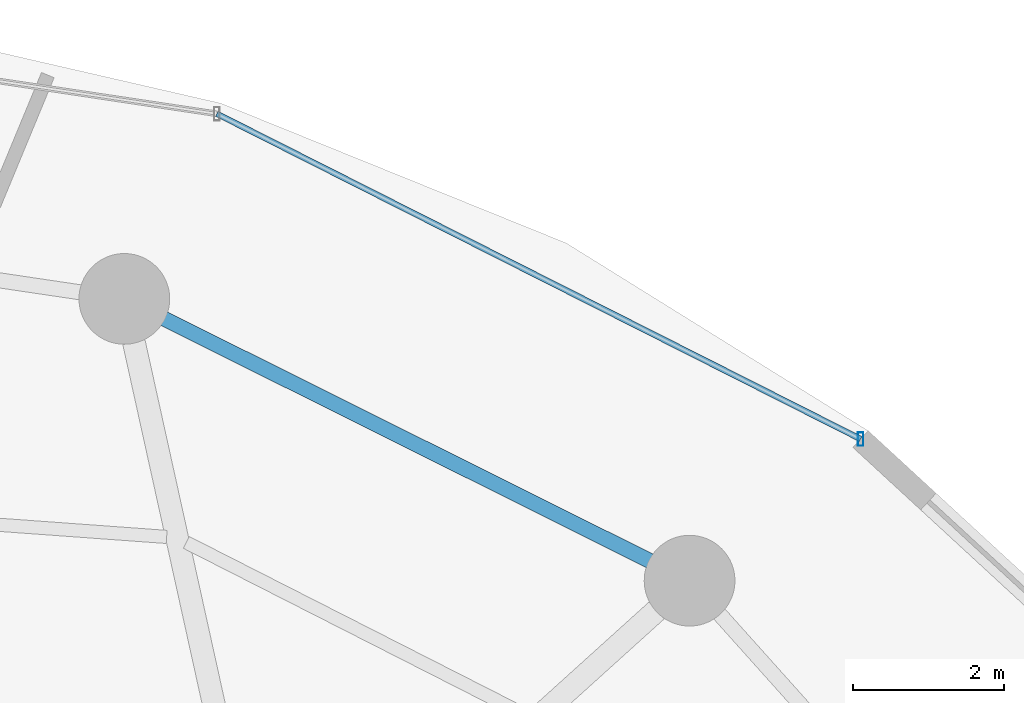
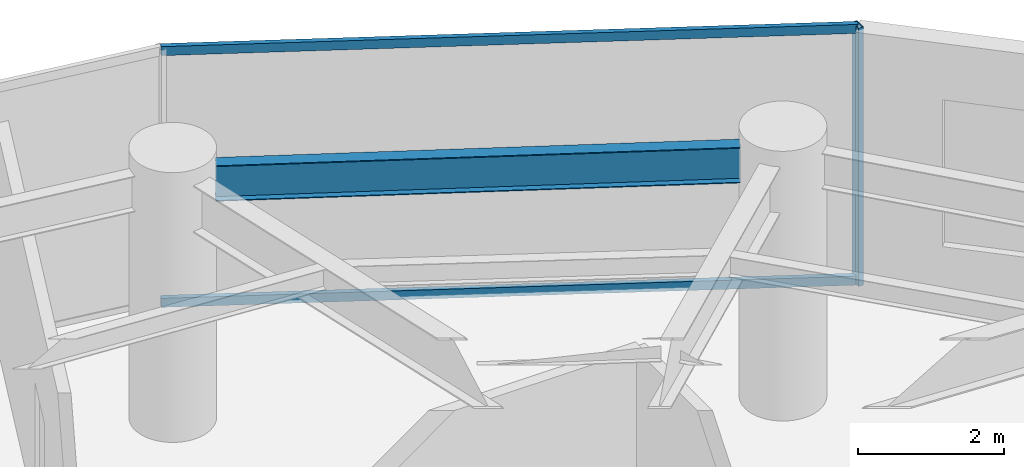
# One storey, part 18 of 27: 3 members, 1 beam, 1 element without a shape of its own.
"""IFC4 building model written with IfcOpenShell, lengths in metres."""

from ifc_helpers import new_model, si_unit, direction, frame, origin, origin_2d, place, context, subcontext, project, spatial, hollow_rectangle, i_section, extrude, material, material_profile, profile_set, type_object, element, aggregate, save


model = new_model("IFC4")

# Units and contexts
model_context = context("Model", 3, precision=1e-05, world=origin(), true_north=direction((0.0, 1.0)))
body_context = subcontext(model_context, "Body", "Model", "MODEL_VIEW")
ifc_project = project(units=[si_unit("LENGTHUNIT", "METRE"), si_unit("AREAUNIT", "SQUARE_METRE"), si_unit("VOLUMEUNIT", "CUBIC_METRE"), si_unit("PLANEANGLEUNIT", "RADIAN"), si_unit("MASSUNIT", "GRAM", prefix="KILO")], contexts=[model_context])

# Site, building, storey
site_placement = place(None, origin())
site = spatial("IfcSite", under=ifc_project, at=site_placement, CompositionType="ELEMENT")
building_placement = place(site_placement, origin())
building = spatial("IfcBuilding", under=site, at=building_placement, Name="Vorneva Point Tower", CompositionType="ELEMENT")
storey_placement = place(building_placement, frame((0.0, 0.0, 74.300048828125)))
storey = spatial("IfcBuildingStorey", under=building, at=storey_placement, Name="L19", CompositionType="ELEMENT", Elevation=74.300048828125)

# Beam
ifc_material_1 = material(Name="Steel S355", Category="steel")
ifc_material_profile_1 = material_profile(ifc_material_1, i_section(OverallWidth=0.198974609375, OverallDepth=0.595947265625, WebThickness=0.010009765625, FlangeThickness=0.014892578125, at=origin_2d()), Name="60B1")
ifc_profile_set_1 = profile_set([ifc_material_profile_1], Name="Steel S355")
beam_type = type_object("IfcBeamType", Name="BM-SPN-60B1", PredefinedType="SPANDREL", material=ifc_profile_set_1)
beam_placement = place(storey_placement, frame((53.775390625, 38.423095703125, 3.94189453125), z_axis=(-0.894922668731, 0.446221264611, 0.0), x_axis=(-0.446221264611, -0.894922668731, 0.0)))
element("IfcBeam", 1, at=beam_placement, inside=storey, type_object=beam_type, Name="L19 Perimeter Spandrel Ring Beam 03", PredefinedType="SPANDREL", context=body_context, shape_type="SweptSolid", body=[
    extrude(i_section(OverallWidth=0.198974609375, OverallDepth=0.595947265625, WebThickness=0.010009765625, FlangeThickness=0.014892578125, at=origin_2d()), origin(), (0.0, 0.0, 1.0), 7.18603515625),
])

# Curtain wall, members
ifc_material_2 = material(Name="Pale anodised aluminium", Category="aluminium")
curtain_wall_type = type_object("IfcCurtainWallType", Name="CW-SKY-SYS", PredefinedType="NOTDEFINED", material=ifc_material_2)
curtain_wall_placement = place(storey_placement, origin())
curtain_wall = element("IfcCurtainWall", 2, at=curtain_wall_placement, inside=storey, type_object=curtain_wall_type, Name="L19 Unitised Curtain Wall CW-L19-R02", PredefinedType="NOTDEFINED")
ifc_material_profile_2 = material_profile(ifc_material_2, hollow_rectangle(XDim=0.074951171875, YDim=0.179931640625, WallThickness=0.00390625, at=origin_2d()), Name="AL-MUL 180x75x4")
ifc_profile_set_2 = profile_set([ifc_material_profile_2], Name="Pale anodised aluminium")
member_type_1 = type_object("IfcMemberType", Name="CW-MUL-180", PredefinedType="MULLION", material=ifc_profile_set_2)
member_1_placement = place(storey_placement, frame((56.5615234375, 40.0361328125, -0.0400390625), z_axis=(0.0, 0.0, 1.0), x_axis=(1.0, 0.0, 0.0)))
member_1 = element("IfcMember", 3, at=member_1_placement, type_object=member_type_1, Name="CW-L19-R02 Mullion 01", PredefinedType="MULLION", context=body_context, shape_type="SweptSolid", body=[
    extrude(hollow_rectangle(XDim=0.074951171875, YDim=0.179931640625, WallThickness=0.00390625, at=origin_2d()), origin(), (0.0, 0.0, 1.0), 4.31005859375),
])
ifc_material_profile_3 = material_profile(ifc_material_2, hollow_rectangle(XDim=0.074951171875, YDim=0.14990234375, WallThickness=0.00390625, at=origin_2d()), Name="AL-TRN 150x75x4")
ifc_profile_set_3 = profile_set([ifc_material_profile_3], Name="Pale anodised aluminium")
member_type_2 = type_object("IfcMemberType", Name="CW-TRN-150", PredefinedType="USERDEFINED", material=ifc_profile_set_3)
member_2_placement = place(storey_placement, frame((56.5615234375, 40.0361328125, 0.02001953125), z_axis=(-0.892536035732, 0.450976080207, 0.0), x_axis=(-0.450976080207, -0.892536035732, 0.0)))
member_2 = element("IfcMember", 4, at=member_2_placement, type_object=member_type_2, Name="CW-L19-R02 Transom 01.1", ObjectType="TRANSOM", PredefinedType="USERDEFINED", context=body_context, shape_type="SweptSolid", body=[
    extrude(hollow_rectangle(XDim=0.074951171875, YDim=0.14990234375, WallThickness=0.00390625, at=origin_2d()), origin(), (0.0, 0.0, 1.0), 9.54150390625),
])
member_3_placement = place(storey_placement, frame((56.5615234375, 40.0361328125, 4.219970703125), z_axis=(-0.892536035732, 0.450976080207, 0.0), x_axis=(-0.450976080207, -0.892536035732, 0.0)))
member_3 = element("IfcMember", 5, at=member_3_placement, type_object=member_type_2, Name="CW-L19-R02 Transom 01.2", ObjectType="TRANSOM", PredefinedType="USERDEFINED", context=body_context, shape_type="SweptSolid", body=[
    extrude(hollow_rectangle(XDim=0.074951171875, YDim=0.14990234375, WallThickness=0.00390625, at=origin_2d()), origin(), (0.0, 0.0, 1.0), 9.54150390625),
])
aggregate(curtain_wall, [member_1, member_2, member_3])

save(model, "model.ifc")
